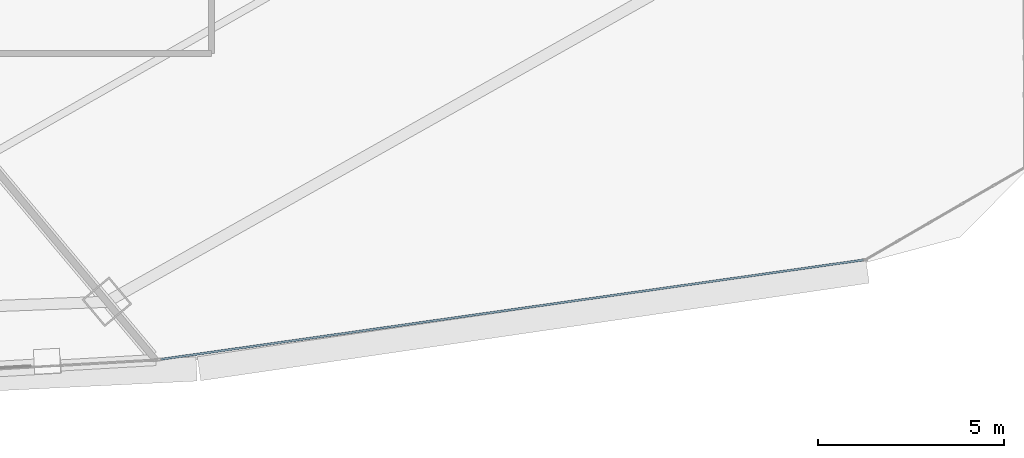
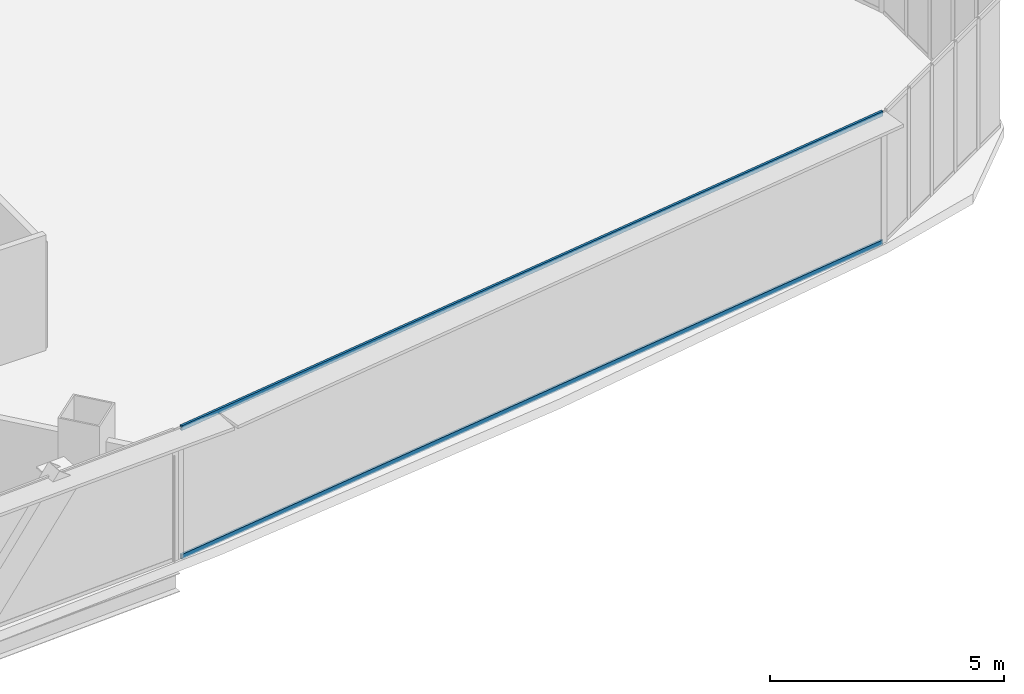
# One storey, part 21 of 42: 2 members, 1 element without a shape of its own.
"""IFC4 building model written with IfcOpenShell, lengths in metres."""

from ifc_helpers import new_model, si_unit, direction, frame, origin, origin_2d, place, context, subcontext, project, spatial, hollow_rectangle, extrude, source, transform, mapped, material, layer, layer_set, material_profile, profile_set, type_object, element, aggregate, save


model = new_model("IFC4")

# Units and contexts
model_context = context("Model", 3, precision=1e-05, world=origin(), true_north=direction((0.0, 1.0)))
body_context = subcontext(model_context, "Body", "Model", "MODEL_VIEW")
ifc_project = project(units=[si_unit("LENGTHUNIT", "METRE"), si_unit("AREAUNIT", "SQUARE_METRE"), si_unit("VOLUMEUNIT", "CUBIC_METRE"), si_unit("PLANEANGLEUNIT", "RADIAN"), si_unit("MASSUNIT", "GRAM", prefix="KILO"), si_unit("THERMODYNAMICTEMPERATUREUNIT", "KELVIN"), si_unit("POWERUNIT", "WATT")], contexts=[model_context])

# Site, building, storey
site_placement = place(None, origin())
site = spatial("IfcSite", under=ifc_project, at=site_placement, CompositionType="ELEMENT")
building_placement = place(site_placement, origin())
building = spatial("IfcBuilding", under=site, at=building_placement, Name="Yunzhuo Pagoda Commons", CompositionType="ELEMENT")
storey_placement = place(building_placement, frame((0.0, 0.0, 137.18994140625)))
storey = spatial("IfcBuildingStorey", under=building, at=storey_placement, Name="L34", CompositionType="ELEMENT", Elevation=137.18994140625)

# Curtain wall, members
ifc_material = material(Name="Anodized aluminium 6063-T6", Category="aluminium")
ifc_layer = layer(ifc_material, 0.14990234375)
ifc_layer_set = layer_set([ifc_layer], Name="Anodized aluminium 6063-T6")
curtain_wall_type = type_object("IfcCurtainWallType", Name="CW-MID Mid-Zone Ribbon Curtain Wall", PredefinedType="NOTDEFINED", material=ifc_layer_set)
curtain_wall_placement = place(storey_placement, origin())
curtain_wall = element("IfcCurtainWall", 1, at=curtain_wall_placement, inside=storey, type_object=curtain_wall_type, Name="L34 curtain wall CW-L34-F1B5", PredefinedType="NOTDEFINED")
ifc_material_profile = material_profile(ifc_material, hollow_rectangle(XDim=0.054931640625, YDim=0.1298828125, WallThickness=0.00341796875, at=origin_2d()), Name="Anodized aluminium 6063-T6")
ifc_profile_set = profile_set([ifc_material_profile], Name="Anodized aluminium 6063-T6")
member_type = type_object("IfcMemberType", Name="CW-MID-T Transom RHS 130x55x3.5", PredefinedType="USERDEFINED", material=ifc_profile_set)
shared_shape = source(origin(), body_context, "Body", "SweptSolid", [
    extrude(hollow_rectangle(XDim=0.054931640625, YDim=0.1298828125, WallThickness=0.00341796875, at=origin_2d()), origin(), (0.0, 0.0, 1.0), 19.068603515625),
])
member_1_placement = place(storey_placement, frame((65.031982421875, 13.580322265625, 0.027587890625), z_axis=(0.990147224482, 0.140030260479, 0.0), x_axis=(-0.140030260479, 0.990147224482, 0.0)))
member_1 = element("IfcMember", 2, at=member_1_placement, type_object=member_type, Name="CW transom 1.1", ObjectType="TRANSOM", PredefinedType="USERDEFINED", context=body_context, shape_type="MappedRepresentation", body=[
    mapped(shared_shape, transform((0.0, 0.0, 0.0), scale=1.0)),
])
member_2_placement = place(storey_placement, frame((65.031982421875, 13.580322265625, 3.392822265625), z_axis=(0.990147224482, 0.140030260479, 0.0), x_axis=(-0.140030260479, 0.990147224482, 0.0)))
member_2 = element("IfcMember", 3, at=member_2_placement, type_object=member_type, Name="CW transom 1.2", ObjectType="TRANSOM", PredefinedType="USERDEFINED", context=body_context, shape_type="MappedRepresentation", body=[
    mapped(shared_shape, transform((0.0, 0.0, 0.0), scale=1.0)),
])
aggregate(curtain_wall, [member_1, member_2])

save(model, "model.ifc")
